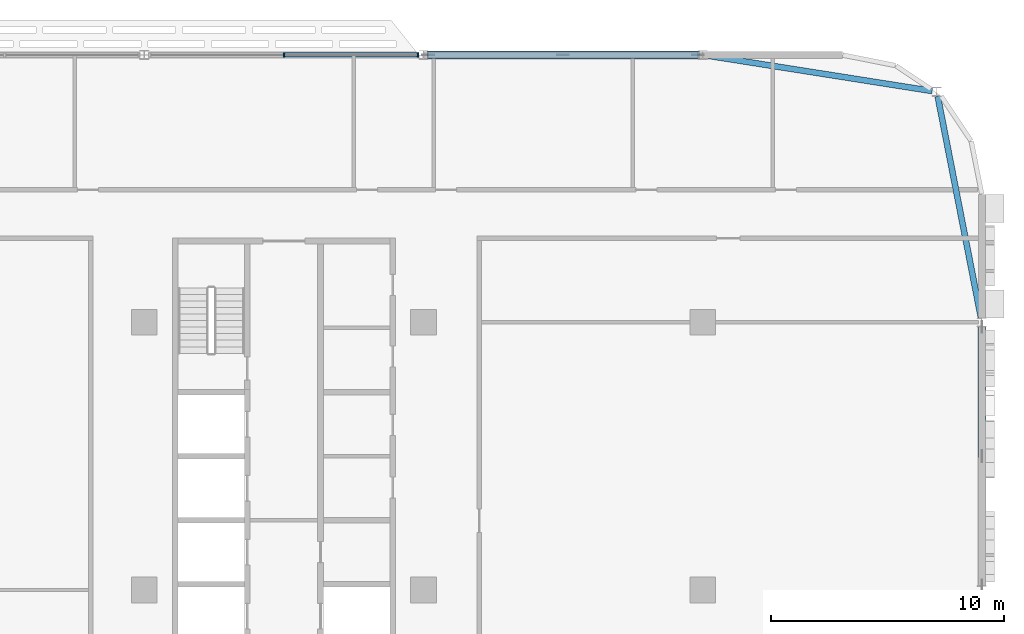
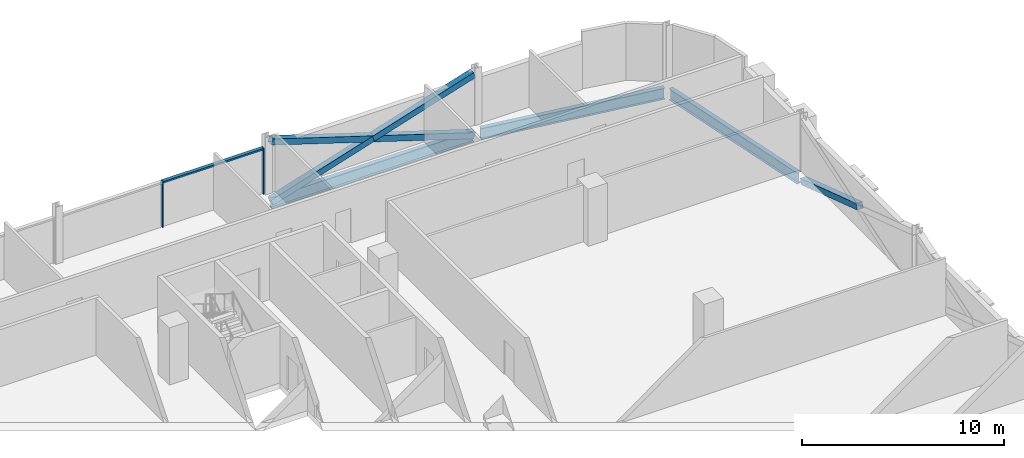
# One storey, part 11 of 30: 7 members, 3 beams, 1 element without a shape of its own.
"""IFC4 building model written with IfcOpenShell, lengths in metres."""

from ifc_helpers import new_model, si_unit, direction, frame, origin, origin_2d, place, context, subcontext, project, spatial, rectangle, hollow_rectangle, i_section, extrude, material, material_profile, profile_set, type_object, element, aggregate, save


model = new_model("IFC4")

# Units and contexts
model_context = context("Model", 3, precision=1e-05, world=origin(), true_north=direction((0.0, 1.0)))
body_context = subcontext(model_context, "Body", "Model", "MODEL_VIEW")
ifc_project = project(units=[si_unit("LENGTHUNIT", "METRE"), si_unit("AREAUNIT", "SQUARE_METRE"), si_unit("VOLUMEUNIT", "CUBIC_METRE"), si_unit("PLANEANGLEUNIT", "RADIAN"), si_unit("MASSUNIT", "GRAM", prefix="KILO")], contexts=[model_context])

# Site, building, storey
site_placement = place(None, origin())
site = spatial("IfcSite", under=ifc_project, at=site_placement, CompositionType="ELEMENT")
building_placement = place(site_placement, origin())
building = spatial("IfcBuilding", under=site, at=building_placement, Name="Mahtab Terrace Research Tower", CompositionType="ELEMENT")
storey_placement = place(building_placement, frame((0.0, 0.0, 201.5)))
storey = spatial("IfcBuildingStorey", under=building, at=storey_placement, Name="L48", CompositionType="ELEMENT", Elevation=201.5)

# Members
ifc_material_1 = material(Name="Steel ASTM A500 Gr C", Category="steel")
ifc_material_profile_1 = material_profile(ifc_material_1, hollow_rectangle(XDim=0.355712890625, YDim=0.355712890625, WallThickness=0.015869140625, at=origin_2d()), Name="HSS14X14X5/8")
ifc_profile_set_1 = profile_set([ifc_material_profile_1], Name="Steel ASTM A500 Gr C")
member_type_1 = type_object("IfcMemberType", Name="HSS 14x14x5/8 brace XB141458", PredefinedType="BRACE", material=ifc_profile_set_1)
member_1_placement = place(storey_placement, frame((41.79931640625, 23.0, -0.615478515625), z_axis=(-0.953343380425, 0.0, 0.301888057067), x_axis=(0.0, -1.0, 0.0)))
element("IfcMember", 1, at=member_1_placement, inside=storey, type_object=member_type_1, Name="Exoskeleton brace L48 02 a", PredefinedType="BRACE", context=body_context, shape_type="SweptSolid", body=[
    extrude(hollow_rectangle(XDim=0.355712890625, YDim=0.355712890625, WallThickness=0.015869140625, at=origin_2d()), origin(), (0.0, 0.0, 1.0), 12.166259765625),
])
for number, where, z_axis, x_axis, name in (
    (2, (30.20068359375, 23.0, -0.615478515625), (0.953343380425, 0.0, 0.301888057067), (0.0, 1.0, 0.0), "Exoskeleton brace L48 02 b1"),
    (3, (36.0, 23.0, 1.220947265625), (0.953343380425, 0.0, 0.301888057067), (0.0, 1.0, 0.0), "Exoskeleton brace L48 02 b2"),
):
    element("IfcMember", number, at=place(storey_placement, frame(where, z_axis=z_axis, x_axis=x_axis)), inside=storey, type_object=member_type_1, Name=name, PredefinedType="BRACE", context=body_context, shape_type="SweptSolid", body=[
        extrude(hollow_rectangle(XDim=0.355712890625, YDim=0.355712890625, WallThickness=0.015869140625, at=origin_2d()), origin(), (0.0, 0.0, 1.0), 6.083251953125),
    ])
member_2_placement = place(storey_placement, frame((54.0, 11.300537109375, -0.61328125), z_axis=(0.0, -0.949498689047, 0.313770998496), x_axis=(1.0, 0.0, 0.0)))
element("IfcMember", 4, at=member_2_placement, inside=storey, type_object=member_type_1, Name="Exoskeleton brace L48 23 b1", PredefinedType="BRACE", context=body_context, shape_type="SweptSolid", body=[
    extrude(hollow_rectangle(XDim=0.355712890625, YDim=0.355712890625, WallThickness=0.015869140625, at=origin_2d()), origin(), (0.0, 0.0, 1.0), 5.845703125),
])

# Curtain wall, members
ifc_material_2 = material(Name="Laboratory ribbon curtain wall")
curtain_wall_type = type_object("IfcCurtainWallType", Name="Laboratory ribbon curtain wall", PredefinedType="NOTDEFINED", material=ifc_material_2)
curtain_wall_placement = place(storey_placement, origin())
curtain_wall = element("IfcCurtainWall", 5, at=curtain_wall_placement, inside=storey, type_object=curtain_wall_type, Name="EN.L48.3.5", PredefinedType="NOTDEFINED")
ifc_material_3 = material(Name="Natural anodised aluminium", Category="aluminium")
ifc_material_profile_2 = material_profile(ifc_material_3, rectangle(XDim=0.199951171875, YDim=0.06494140625, at=origin_2d()), Name="MULLION 65x200")
ifc_profile_set_2 = profile_set([ifc_material_profile_2], Name="Natural anodised aluminium")
member_type_2 = type_object("IfcMemberType", Name="Laboratory ribbon curtain wall mullion", PredefinedType="MULLION", material=ifc_profile_set_2)
member_3_placement = place(storey_placement, frame((29.767578125, 23.0, 0.0), z_axis=(0.0, 0.0, 1.0), x_axis=(0.0, -1.0, 0.0)))
member_3 = element("IfcMember", 6, at=member_3_placement, type_object=member_type_2, Name="CWL-6 mullion 1", PredefinedType="MULLION", context=body_context, shape_type="SweptSolid", body=[
    extrude(rectangle(XDim=0.199951171875, YDim=0.06494140625, at=origin_2d()), origin(), (0.0, 0.0, 1.0), 2.78173828125),
])
member_4_placement = place(storey_placement, frame((24.0, 23.0, 0.0), z_axis=(0.0, 0.0, 1.0), x_axis=(0.0, -1.0, 0.0)))
member_4 = element("IfcMember", 7, at=member_4_placement, type_object=member_type_2, Name="CWL-6 mullion 2", PredefinedType="MULLION", context=body_context, shape_type="SweptSolid", body=[
    extrude(rectangle(XDim=0.199951171875, YDim=0.06494140625, at=origin_2d()), origin(), (0.0, 0.0, 1.0), 2.78173828125),
])
ifc_material_profile_3 = material_profile(ifc_material_3, rectangle(XDim=0.199951171875, YDim=0.10009765625, at=origin_2d()), Name="TRANSOM 100x200")
ifc_profile_set_3 = profile_set([ifc_material_profile_3], Name="Natural anodised aluminium")
member_type_3 = type_object("IfcMemberType", Name="Laboratory ribbon curtain wall transom", PredefinedType="USERDEFINED", material=ifc_profile_set_3)
member_5_placement = place(storey_placement, frame((29.735107421875, 23.0, 2.731689453125), z_axis=(-1.0, 0.0, 0.0), x_axis=(0.0, -1.0, 0.0)))
member_5 = element("IfcMember", 8, at=member_5_placement, type_object=member_type_3, Name="CWL-6 transom 1", ObjectType="TRANSOM", PredefinedType="USERDEFINED", context=body_context, shape_type="SweptSolid", body=[
    extrude(rectangle(XDim=0.199951171875, YDim=0.10009765625, at=origin_2d()), origin(), (0.0, 0.0, 1.0), 5.70263671875),
])
aggregate(curtain_wall, [member_3, member_4, member_5])

# Beams
ifc_material_4 = material(Name="Steel ASTM A992 Gr 50", Category="steel")
ifc_material_profile_4 = material_profile(ifc_material_4, i_section(OverallWidth=0.25390625, OverallDepth=0.67822265625, WebThickness=0.01171875, FlangeThickness=0.016357421875, at=origin_2d()), Name="W27X84")
ifc_profile_set_4 = profile_set([ifc_material_profile_4], Name="Steel ASTM A992 Gr 50")
beam_type = type_object("IfcBeamType", Name="W27x84 beam BS2784", PredefinedType="BEAM", material=ifc_profile_set_4)
beam_1_placement = place(storey_placement, frame((51.861328125, 21.447509765625, -0.67919921875), z_axis=(-0.987831689273, 0.155526697604, 0.0), x_axis=(-0.155526697604, -0.987831689273, 0.0)))
element("IfcBeam", 9, at=beam_1_placement, inside=storey, type_object=beam_type, Name="Spandrel beam L48 01", PredefinedType="BEAM", context=body_context, shape_type="SweptSolid", body=[
    extrude(i_section(OverallWidth=0.25390625, OverallDepth=0.67822265625, WebThickness=0.01171875, FlangeThickness=0.016357421875, at=origin_2d()), origin(), (0.0, 0.0, 1.0), 9.779541015625),
])
beam_2_placement = place(storey_placement, frame((41.79931640625, 23.0, -0.67919921875), z_axis=(-1.0, 0.0, 0.0), x_axis=(0.0, -1.0, 0.0)))
element("IfcBeam", 10, at=beam_2_placement, inside=storey, type_object=beam_type, Name="Spandrel beam L48 02", PredefinedType="BEAM", context=body_context, shape_type="SweptSolid", body=[
    extrude(i_section(OverallWidth=0.25390625, OverallDepth=0.67822265625, WebThickness=0.01171875, FlangeThickness=0.016357421875, at=origin_2d()), origin(), (0.0, 0.0, 1.0), 11.5986328125),
])
beam_3_placement = place(storey_placement, frame((53.9609375, 11.699462890625, -0.67919921875), z_axis=(-0.191795474732, 0.981434916779, 0.0), x_axis=(-0.981434916779, -0.191795474732, 0.0)))
element("IfcBeam", 11, at=beam_3_placement, inside=storey, type_object=beam_type, Name="Spandrel beam L48 24", PredefinedType="BEAM", context=body_context, shape_type="SweptSolid", body=[
    extrude(i_section(OverallWidth=0.25390625, OverallDepth=0.67822265625, WebThickness=0.01171875, FlangeThickness=0.016357421875, at=origin_2d()), origin(), (0.0, 0.0, 1.0), 9.697021484375),
])

save(model, "model.ifc")
